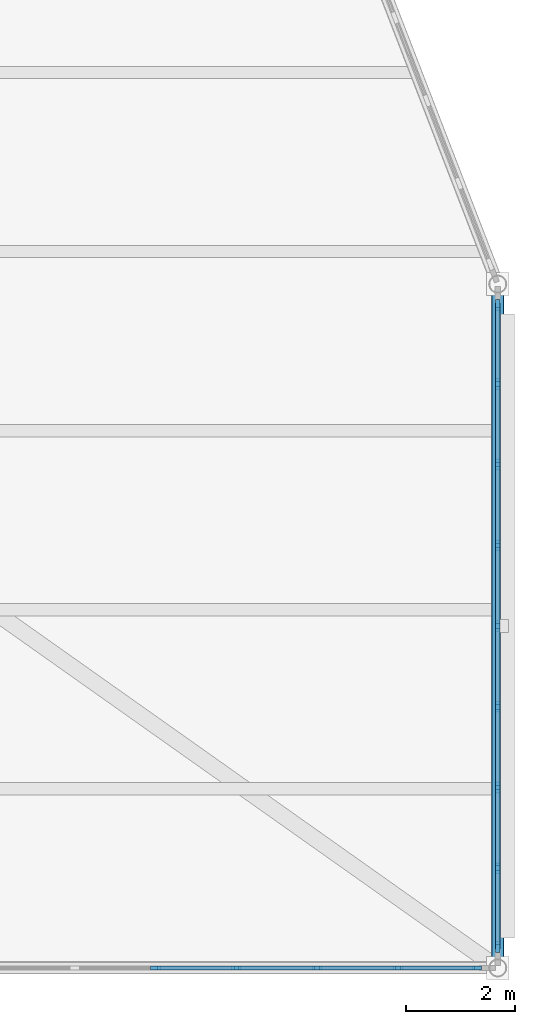
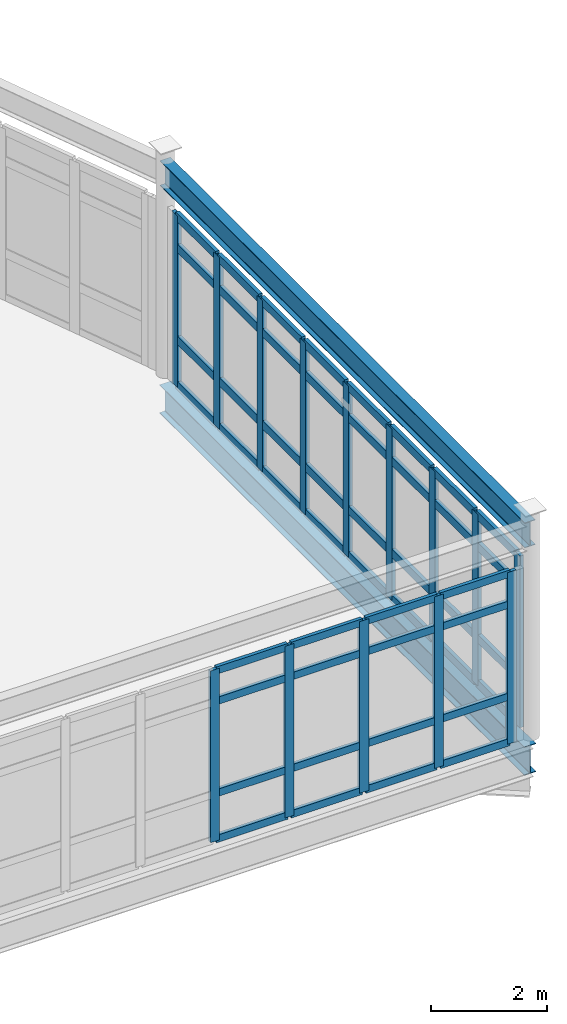
# One storey, part 69 of 134: 62 members, 2 beams, 2 elements without a shape of their own.
"""IFC4 building model written with IfcOpenShell, lengths in metres."""

from ifc_helpers import new_model, si_unit, direction, frame, origin, origin_2d, place, context, subcontext, project, spatial, rectangle, i_section, extrude, material, material_profile, profile_set, type_object, element, aggregate, save


model = new_model("IFC4")

# Units and contexts
model_context = context("Model", 3, precision=1e-05, world=origin(), true_north=direction((0.0, 1.0)))
body_context = subcontext(model_context, "Body", "Model", "MODEL_VIEW")
ifc_project = project(units=[si_unit("LENGTHUNIT", "METRE"), si_unit("AREAUNIT", "SQUARE_METRE"), si_unit("VOLUMEUNIT", "CUBIC_METRE"), si_unit("PLANEANGLEUNIT", "RADIAN"), si_unit("MASSUNIT", "GRAM", prefix="KILO")], contexts=[model_context])

# Site, building, storey
site_placement = place(None, origin())
site = spatial("IfcSite", under=ifc_project, at=site_placement, CompositionType="ELEMENT")
building_placement = place(site_placement, origin())
building = spatial("IfcBuilding", under=site, at=building_placement, Name="Tameran Prism Museum", CompositionType="ELEMENT")
storey_placement = place(building_placement, frame((0.0, 0.0, 5.39990234375)))
storey = spatial("IfcBuildingStorey", under=building, at=storey_placement, Name="L01", CompositionType="ELEMENT", Elevation=5.39990234375)

# Beams
ifc_material_1 = material(Name="Steel Grade 300PLUS (300 MPa)", Category="steel")
ifc_material_profile_1 = material_profile(ifc_material_1, i_section(OverallWidth=0.208984375, OverallDepth=0.528076171875, WebThickness=0.009521484375, FlangeThickness=0.01318359375, FilletRadius=0.013916015625, at=origin_2d()))
ifc_profile_set_1 = profile_set([ifc_material_profile_1])
beam_type_1 = type_object("IfcBeamType", Name="BM-SP530B", PredefinedType="SPANDREL", material=ifc_profile_set_1)
beam_1_placement = place(storey_placement, frame((166.39990234375, 0.0, 4.256103515625), z_axis=(0.0, 1.0, 0.0), x_axis=(-1.0, 0.0, 0.0)))
element("IfcBeam", 1, at=beam_1_placement, inside=storey, type_object=beam_type_1, Name="Roof Ring Beam RB-0380", PredefinedType="SPANDREL", context=body_context, shape_type="SweptSolid", body=[
    extrude(i_section(OverallWidth=0.208984375, OverallDepth=0.528076171875, WebThickness=0.009521484375, FlangeThickness=0.01318359375, FilletRadius=0.013916015625, at=origin_2d()), origin(), (0.0, 0.0, 1.0), 12.60009765625),
])
ifc_material_2 = material(Name="Steel Grade 300PLUS (300 MPa)", Category="steel")
ifc_material_profile_2 = material_profile(ifc_material_2, i_section(OverallWidth=0.22802734375, OverallDepth=0.60205078125, WebThickness=0.010498046875, FlangeThickness=0.014892578125, FilletRadius=0.013916015625, at=origin_2d()))
ifc_profile_set_2 = profile_set([ifc_material_profile_2])
beam_type_2 = type_object("IfcBeamType", Name="BM-SP610", PredefinedType="SPANDREL", material=ifc_profile_set_2)
beam_2_placement = place(storey_placement, frame((166.39990234375, 0.0, -0.5009765625), z_axis=(0.0, 1.0, 0.0), x_axis=(-1.0, 0.0, 0.0)))
element("IfcBeam", 2, at=beam_2_placement, inside=storey, type_object=beam_type_2, Name="Perimeter Spandrel SP-0374", PredefinedType="SPANDREL", context=body_context, shape_type="SweptSolid", body=[
    extrude(i_section(OverallWidth=0.22802734375, OverallDepth=0.60205078125, WebThickness=0.010498046875, FlangeThickness=0.014892578125, FilletRadius=0.013916015625, at=origin_2d()), origin(), (0.0, 0.0, 1.0), 12.60009765625),
])

# Curtain wall, members
ifc_material_3 = material(Name="Anodised Aluminium 6063-T6 and Cyclone Solar Glass", Category="aluminium")
curtain_wall_type_1 = type_object("IfcCurtainWallType", Name="CW-FAC-1340x362", PredefinedType="USERDEFINED", material=ifc_material_3)
curtain_wall_1_placement = place(storey_placement, origin())
curtain_wall_1 = element("IfcCurtainWall", 3, at=curtain_wall_1_placement, inside=storey, type_object=curtain_wall_type_1, Name="Unitised Curtain Wall CW-080", ObjectType="UNITISED CURTAIN WALL", PredefinedType="USERDEFINED")
ifc_material_4 = material(Name="Anodised Aluminium Alloy 6063-T6", Category="aluminium")
ifc_material_profile_3 = material_profile(ifc_material_4, rectangle(XDim=0.070068359375, YDim=0.179931640625, at=origin_2d()))
ifc_profile_set_3 = profile_set([ifc_material_profile_3])
member_type_1 = type_object("IfcMemberType", Name="CW-MUL-B", PredefinedType="MULLION", material=ifc_profile_set_3)
member_1_placement = place(storey_placement, frame((166.014892578125, 0.0, 0.0), z_axis=(0.0, 0.0, 1.0), x_axis=(0.0, -1.0, 0.0)))
member_1 = element("IfcMember", 4, at=member_1_placement, type_object=member_type_1, Name="CW-080 mullion 1", PredefinedType="MULLION", context=body_context, shape_type="SweptSolid", body=[
    extrude(rectangle(XDim=0.070068359375, YDim=0.179931640625, at=origin_2d()), origin(), (0.0, 0.0, 1.0), 3.6201171875),
])
member_2_placement = place(storey_placement, frame((164.56103515625, 0.0, 0.0), z_axis=(0.0, 0.0, 1.0), x_axis=(0.0, -1.0, 0.0)))
member_2 = element("IfcMember", 5, at=member_2_placement, type_object=member_type_1, Name="CW-080 mullion 2", PredefinedType="MULLION", context=body_context, shape_type="SweptSolid", body=[
    extrude(rectangle(XDim=0.070068359375, YDim=0.179931640625, at=origin_2d()), origin(), (0.0, 0.0, 1.0), 3.6201171875),
])
member_3_placement = place(storey_placement, frame((163.072265625, 0.0, 0.0), z_axis=(0.0, 0.0, 1.0), x_axis=(0.0, -1.0, 0.0)))
member_3 = element("IfcMember", 6, at=member_3_placement, type_object=member_type_1, Name="CW-080 mullion 3", PredefinedType="MULLION", context=body_context, shape_type="SweptSolid", body=[
    extrude(rectangle(XDim=0.070068359375, YDim=0.179931640625, at=origin_2d()), origin(), (0.0, 0.0, 1.0), 3.6201171875),
])
member_4_placement = place(storey_placement, frame((161.583251953125, 0.0, 0.0), z_axis=(0.0, 0.0, 1.0), x_axis=(0.0, -1.0, 0.0)))
member_4 = element("IfcMember", 7, at=member_4_placement, type_object=member_type_1, Name="CW-080 mullion 4", PredefinedType="MULLION", context=body_context, shape_type="SweptSolid", body=[
    extrude(rectangle(XDim=0.070068359375, YDim=0.179931640625, at=origin_2d()), origin(), (0.0, 0.0, 1.0), 3.6201171875),
])
member_5_placement = place(storey_placement, frame((160.094482421875, 0.0, 0.0), z_axis=(0.0, 0.0, 1.0), x_axis=(0.0, -1.0, 0.0)))
member_5 = element("IfcMember", 8, at=member_5_placement, type_object=member_type_1, Name="CW-080 mullion 5", PredefinedType="MULLION", context=body_context, shape_type="SweptSolid", body=[
    extrude(rectangle(XDim=0.070068359375, YDim=0.179931640625, at=origin_2d()), origin(), (0.0, 0.0, 1.0), 3.6201171875),
])

ifc_material_5 = material(Name="Anodised Aluminium 6063-T6 and Cyclone Solar Glass", Category="aluminium")
curtain_wall_type_2 = type_object("IfcCurtainWallType", Name="CW-FAC-1190x362", PredefinedType="USERDEFINED", material=ifc_material_5)
curtain_wall_2_placement = place(storey_placement, origin())
curtain_wall_2 = element("IfcCurtainWall", 9, at=curtain_wall_2_placement, inside=storey, type_object=curtain_wall_type_2, Name="Unitised Curtain Wall CW-081", ObjectType="UNITISED CURTAIN WALL", PredefinedType="USERDEFINED")
ifc_material_6 = material(Name="Anodised Aluminium Alloy 6063-T6", Category="aluminium")
ifc_material_profile_4 = material_profile(ifc_material_6, rectangle(XDim=0.074951171875, YDim=0.199951171875, at=origin_2d()))
ifc_profile_set_4 = profile_set([ifc_material_profile_4])
member_type_2 = type_object("IfcMemberType", Name="CW-MUL-C", PredefinedType="MULLION", material=ifc_profile_set_4)
member_6_placement = place(storey_placement, frame((166.39990234375, 12.21240234375, 0.0), z_axis=(0.0, 0.0, 1.0), x_axis=(1.0, 0.0, 0.0)))
member_6 = element("IfcMember", 10, at=member_6_placement, type_object=member_type_2, Name="CW-081 mullion 1", PredefinedType="MULLION", context=body_context, shape_type="SweptSolid", body=[
    extrude(rectangle(XDim=0.074951171875, YDim=0.199951171875, at=origin_2d()), origin(), (0.0, 0.0, 1.0), 3.6201171875),
])
member_7_placement = place(storey_placement, frame((166.39990234375, 10.762451171875, 0.0), z_axis=(0.0, 0.0, 1.0), x_axis=(1.0, 0.0, 0.0)))
member_7 = element("IfcMember", 11, at=member_7_placement, type_object=member_type_2, Name="CW-081 mullion 2", PredefinedType="MULLION", context=body_context, shape_type="SweptSolid", body=[
    extrude(rectangle(XDim=0.074951171875, YDim=0.199951171875, at=origin_2d()), origin(), (0.0, 0.0, 1.0), 3.6201171875),
])
member_8_placement = place(storey_placement, frame((166.39990234375, 9.27490234375, 0.0), z_axis=(0.0, 0.0, 1.0), x_axis=(1.0, 0.0, 0.0)))
member_8 = element("IfcMember", 12, at=member_8_placement, type_object=member_type_2, Name="CW-081 mullion 3", PredefinedType="MULLION", context=body_context, shape_type="SweptSolid", body=[
    extrude(rectangle(XDim=0.074951171875, YDim=0.199951171875, at=origin_2d()), origin(), (0.0, 0.0, 1.0), 3.6201171875),
])
member_9_placement = place(storey_placement, frame((166.39990234375, 7.78759765625, 0.0), z_axis=(0.0, 0.0, 1.0), x_axis=(1.0, 0.0, 0.0)))
member_9 = element("IfcMember", 13, at=member_9_placement, type_object=member_type_2, Name="CW-081 mullion 4", PredefinedType="MULLION", context=body_context, shape_type="SweptSolid", body=[
    extrude(rectangle(XDim=0.074951171875, YDim=0.199951171875, at=origin_2d()), origin(), (0.0, 0.0, 1.0), 3.6201171875),
])
member_10_placement = place(storey_placement, frame((166.39990234375, 6.300048828125, 0.0), z_axis=(0.0, 0.0, 1.0), x_axis=(1.0, 0.0, 0.0)))
member_10 = element("IfcMember", 14, at=member_10_placement, type_object=member_type_2, Name="CW-081 mullion 5", PredefinedType="MULLION", context=body_context, shape_type="SweptSolid", body=[
    extrude(rectangle(XDim=0.074951171875, YDim=0.199951171875, at=origin_2d()), origin(), (0.0, 0.0, 1.0), 3.6201171875),
])
member_11_placement = place(storey_placement, frame((166.39990234375, 4.8125, 0.0), z_axis=(0.0, 0.0, 1.0), x_axis=(1.0, 0.0, 0.0)))
member_11 = element("IfcMember", 15, at=member_11_placement, type_object=member_type_2, Name="CW-081 mullion 6", PredefinedType="MULLION", context=body_context, shape_type="SweptSolid", body=[
    extrude(rectangle(XDim=0.074951171875, YDim=0.199951171875, at=origin_2d()), origin(), (0.0, 0.0, 1.0), 3.6201171875),
])
member_12_placement = place(storey_placement, frame((166.39990234375, 3.324951171875, 0.0), z_axis=(0.0, 0.0, 1.0), x_axis=(1.0, 0.0, 0.0)))
member_12 = element("IfcMember", 16, at=member_12_placement, type_object=member_type_2, Name="CW-081 mullion 7", PredefinedType="MULLION", context=body_context, shape_type="SweptSolid", body=[
    extrude(rectangle(XDim=0.074951171875, YDim=0.199951171875, at=origin_2d()), origin(), (0.0, 0.0, 1.0), 3.6201171875),
])
member_13_placement = place(storey_placement, frame((166.39990234375, 1.83740234375, 0.0), z_axis=(0.0, 0.0, 1.0), x_axis=(1.0, 0.0, 0.0)))
member_13 = element("IfcMember", 17, at=member_13_placement, type_object=member_type_2, Name="CW-081 mullion 8", PredefinedType="MULLION", context=body_context, shape_type="SweptSolid", body=[
    extrude(rectangle(XDim=0.074951171875, YDim=0.199951171875, at=origin_2d()), origin(), (0.0, 0.0, 1.0), 3.6201171875),
])
member_14_placement = place(storey_placement, frame((166.39990234375, 0.387451171875, 0.0), z_axis=(0.0, 0.0, 1.0), x_axis=(1.0, 0.0, 0.0)))
member_14 = element("IfcMember", 18, at=member_14_placement, type_object=member_type_2, Name="CW-081 mullion 9", PredefinedType="MULLION", context=body_context, shape_type="SweptSolid", body=[
    extrude(rectangle(XDim=0.074951171875, YDim=0.199951171875, at=origin_2d()), origin(), (0.0, 0.0, 1.0), 3.6201171875),
])

# Member
ifc_material_7 = material(Name="Anodised Aluminium Alloy 6063-T6", Category="aluminium")
ifc_material_profile_5 = material_profile(ifc_material_7, rectangle(XDim=0.070068359375, YDim=0.155029296875, at=origin_2d()))
ifc_profile_set_5 = profile_set([ifc_material_profile_5])
member_type_3 = type_object("IfcMemberType", Name="CW-TRN-B", PredefinedType="USERDEFINED", material=ifc_profile_set_5)
member_15_placement = place(storey_placement, frame((165.97998046875, 0.0, 0.03515625), z_axis=(-1.0, 0.0, 0.0), x_axis=(0.0, -1.0, 0.0)))
member_15 = element("IfcMember", 19, at=member_15_placement, type_object=member_type_3, Name="CW-080 transom 1.1", ObjectType="TRANSOM", PredefinedType="USERDEFINED", context=body_context, shape_type="SweptSolid", body=[
    extrude(rectangle(XDim=0.070068359375, YDim=0.155029296875, at=origin_2d()), origin(), (0.0, 0.0, 1.0), 1.3837890625),
])

member_16_placement = place(storey_placement, frame((165.97998046875, 0.0, 1.0), z_axis=(-1.0, 0.0, 0.0), x_axis=(0.0, -1.0, 0.0)))
member_16 = element("IfcMember", 20, at=member_16_placement, type_object=member_type_3, Name="CW-080 transom 1.2", ObjectType="TRANSOM", PredefinedType="USERDEFINED", context=body_context, shape_type="SweptSolid", body=[
    extrude(rectangle(XDim=0.070068359375, YDim=0.155029296875, at=origin_2d()), origin(), (0.0, 0.0, 1.0), 1.3837890625),
])

member_17_placement = place(storey_placement, frame((165.97998046875, 0.0, 2.940185546875), z_axis=(-1.0, 0.0, 0.0), x_axis=(0.0, -1.0, 0.0)))
member_17 = element("IfcMember", 21, at=member_17_placement, type_object=member_type_3, Name="CW-080 transom 1.3", ObjectType="TRANSOM", PredefinedType="USERDEFINED", context=body_context, shape_type="SweptSolid", body=[
    extrude(rectangle(XDim=0.070068359375, YDim=0.155029296875, at=origin_2d()), origin(), (0.0, 0.0, 1.0), 1.3837890625),
])

member_18_placement = place(storey_placement, frame((165.97998046875, 0.0, 3.585205078125), z_axis=(-1.0, 0.0, 0.0), x_axis=(0.0, -1.0, 0.0)))
member_18 = element("IfcMember", 22, at=member_18_placement, type_object=member_type_3, Name="CW-080 transom 1.4", ObjectType="TRANSOM", PredefinedType="USERDEFINED", context=body_context, shape_type="SweptSolid", body=[
    extrude(rectangle(XDim=0.070068359375, YDim=0.155029296875, at=origin_2d()), origin(), (0.0, 0.0, 1.0), 1.3837890625),
])

member_19_placement = place(storey_placement, frame((164.526123046875, 0.0, 0.03515625), z_axis=(-1.0, 0.0, 0.0), x_axis=(0.0, -1.0, 0.0)))
member_19 = element("IfcMember", 23, at=member_19_placement, type_object=member_type_3, Name="CW-080 transom 2.1", ObjectType="TRANSOM", PredefinedType="USERDEFINED", context=body_context, shape_type="SweptSolid", body=[
    extrude(rectangle(XDim=0.070068359375, YDim=0.155029296875, at=origin_2d()), origin(), (0.0, 0.0, 1.0), 1.4189453125),
])

member_20_placement = place(storey_placement, frame((164.526123046875, 0.0, 1.0), z_axis=(-1.0, 0.0, 0.0), x_axis=(0.0, -1.0, 0.0)))
member_20 = element("IfcMember", 24, at=member_20_placement, type_object=member_type_3, Name="CW-080 transom 2.2", ObjectType="TRANSOM", PredefinedType="USERDEFINED", context=body_context, shape_type="SweptSolid", body=[
    extrude(rectangle(XDim=0.070068359375, YDim=0.155029296875, at=origin_2d()), origin(), (0.0, 0.0, 1.0), 1.4189453125),
])

member_21_placement = place(storey_placement, frame((164.526123046875, 0.0, 2.940185546875), z_axis=(-1.0, 0.0, 0.0), x_axis=(0.0, -1.0, 0.0)))
member_21 = element("IfcMember", 25, at=member_21_placement, type_object=member_type_3, Name="CW-080 transom 2.3", ObjectType="TRANSOM", PredefinedType="USERDEFINED", context=body_context, shape_type="SweptSolid", body=[
    extrude(rectangle(XDim=0.070068359375, YDim=0.155029296875, at=origin_2d()), origin(), (0.0, 0.0, 1.0), 1.4189453125),
])

member_22_placement = place(storey_placement, frame((164.526123046875, 0.0, 3.585205078125), z_axis=(-1.0, 0.0, 0.0), x_axis=(0.0, -1.0, 0.0)))
member_22 = element("IfcMember", 26, at=member_22_placement, type_object=member_type_3, Name="CW-080 transom 2.4", ObjectType="TRANSOM", PredefinedType="USERDEFINED", context=body_context, shape_type="SweptSolid", body=[
    extrude(rectangle(XDim=0.070068359375, YDim=0.155029296875, at=origin_2d()), origin(), (0.0, 0.0, 1.0), 1.4189453125),
])

member_23_placement = place(storey_placement, frame((163.037109375, 0.0, 0.03515625), z_axis=(-1.0, 0.0, 0.0), x_axis=(0.0, -1.0, 0.0)))
member_23 = element("IfcMember", 27, at=member_23_placement, type_object=member_type_3, Name="CW-080 transom 3.1", ObjectType="TRANSOM", PredefinedType="USERDEFINED", context=body_context, shape_type="SweptSolid", body=[
    extrude(rectangle(XDim=0.070068359375, YDim=0.155029296875, at=origin_2d()), origin(), (0.0, 0.0, 1.0), 1.418701171875),
])

member_24_placement = place(storey_placement, frame((163.037109375, 0.0, 1.0), z_axis=(-1.0, 0.0, 0.0), x_axis=(0.0, -1.0, 0.0)))
member_24 = element("IfcMember", 28, at=member_24_placement, type_object=member_type_3, Name="CW-080 transom 3.2", ObjectType="TRANSOM", PredefinedType="USERDEFINED", context=body_context, shape_type="SweptSolid", body=[
    extrude(rectangle(XDim=0.070068359375, YDim=0.155029296875, at=origin_2d()), origin(), (0.0, 0.0, 1.0), 1.418701171875),
])

member_25_placement = place(storey_placement, frame((163.037109375, 0.0, 2.940185546875), z_axis=(-1.0, 0.0, 0.0), x_axis=(0.0, -1.0, 0.0)))
member_25 = element("IfcMember", 29, at=member_25_placement, type_object=member_type_3, Name="CW-080 transom 3.3", ObjectType="TRANSOM", PredefinedType="USERDEFINED", context=body_context, shape_type="SweptSolid", body=[
    extrude(rectangle(XDim=0.070068359375, YDim=0.155029296875, at=origin_2d()), origin(), (0.0, 0.0, 1.0), 1.418701171875),
])

member_26_placement = place(storey_placement, frame((163.037109375, 0.0, 3.585205078125), z_axis=(-1.0, 0.0, 0.0), x_axis=(0.0, -1.0, 0.0)))
member_26 = element("IfcMember", 30, at=member_26_placement, type_object=member_type_3, Name="CW-080 transom 3.4", ObjectType="TRANSOM", PredefinedType="USERDEFINED", context=body_context, shape_type="SweptSolid", body=[
    extrude(rectangle(XDim=0.070068359375, YDim=0.155029296875, at=origin_2d()), origin(), (0.0, 0.0, 1.0), 1.418701171875),
])

member_27_placement = place(storey_placement, frame((161.54833984375, 0.0, 0.03515625), z_axis=(-1.0, 0.0, 0.0), x_axis=(0.0, -1.0, 0.0)))
member_27 = element("IfcMember", 31, at=member_27_placement, type_object=member_type_3, Name="CW-080 transom 4.1", ObjectType="TRANSOM", PredefinedType="USERDEFINED", context=body_context, shape_type="SweptSolid", body=[
    extrude(rectangle(XDim=0.070068359375, YDim=0.155029296875, at=origin_2d()), origin(), (0.0, 0.0, 1.0), 1.4189453125),
])

member_28_placement = place(storey_placement, frame((161.54833984375, 0.0, 1.0), z_axis=(-1.0, 0.0, 0.0), x_axis=(0.0, -1.0, 0.0)))
member_28 = element("IfcMember", 32, at=member_28_placement, type_object=member_type_3, Name="CW-080 transom 4.2", ObjectType="TRANSOM", PredefinedType="USERDEFINED", context=body_context, shape_type="SweptSolid", body=[
    extrude(rectangle(XDim=0.070068359375, YDim=0.155029296875, at=origin_2d()), origin(), (0.0, 0.0, 1.0), 1.4189453125),
])

member_29_placement = place(storey_placement, frame((161.54833984375, 0.0, 2.940185546875), z_axis=(-1.0, 0.0, 0.0), x_axis=(0.0, -1.0, 0.0)))
member_29 = element("IfcMember", 33, at=member_29_placement, type_object=member_type_3, Name="CW-080 transom 4.3", ObjectType="TRANSOM", PredefinedType="USERDEFINED", context=body_context, shape_type="SweptSolid", body=[
    extrude(rectangle(XDim=0.070068359375, YDim=0.155029296875, at=origin_2d()), origin(), (0.0, 0.0, 1.0), 1.4189453125),
])

member_30_placement = place(storey_placement, frame((161.54833984375, 0.0, 3.585205078125), z_axis=(-1.0, 0.0, 0.0), x_axis=(0.0, -1.0, 0.0)))
member_30 = element("IfcMember", 34, at=member_30_placement, type_object=member_type_3, Name="CW-080 transom 4.4", ObjectType="TRANSOM", PredefinedType="USERDEFINED", context=body_context, shape_type="SweptSolid", body=[
    extrude(rectangle(XDim=0.070068359375, YDim=0.155029296875, at=origin_2d()), origin(), (0.0, 0.0, 1.0), 1.4189453125),
])

aggregate(curtain_wall_1, [member_1, member_2, member_3, member_4, member_5, member_15, member_16, member_17, member_18, member_19, member_20, member_21, member_22, member_23, member_24, member_25, member_26, member_27, member_28, member_29, member_30])

ifc_material_8 = material(Name="Anodised Aluminium Alloy 6063-T6", Category="aluminium")
ifc_material_profile_6 = material_profile(ifc_material_8, rectangle(XDim=0.074951171875, YDim=0.175048828125, at=origin_2d()))
ifc_profile_set_6 = profile_set([ifc_material_profile_6])
member_type_4 = type_object("IfcMemberType", Name="CW-TRN-C", PredefinedType="USERDEFINED", material=ifc_profile_set_6)
member_31_placement = place(storey_placement, frame((166.39990234375, 12.175048828125, 0.03759765625), z_axis=(0.0, -1.0, 0.0), x_axis=(1.0, 0.0, 0.0)))
member_31 = element("IfcMember", 35, at=member_31_placement, type_object=member_type_4, Name="CW-081 transom 1.1", ObjectType="TRANSOM", PredefinedType="USERDEFINED", context=body_context, shape_type="SweptSolid", body=[
    extrude(rectangle(XDim=0.074951171875, YDim=0.175048828125, at=origin_2d()), origin(), (0.0, 0.0, 1.0), 1.375),
])

member_32_placement = place(storey_placement, frame((166.39990234375, 12.175048828125, 1.0), z_axis=(0.0, -1.0, 0.0), x_axis=(1.0, 0.0, 0.0)))
member_32 = element("IfcMember", 36, at=member_32_placement, type_object=member_type_4, Name="CW-081 transom 1.2", ObjectType="TRANSOM", PredefinedType="USERDEFINED", context=body_context, shape_type="SweptSolid", body=[
    extrude(rectangle(XDim=0.074951171875, YDim=0.175048828125, at=origin_2d()), origin(), (0.0, 0.0, 1.0), 1.375),
])

member_33_placement = place(storey_placement, frame((166.39990234375, 12.175048828125, 2.940185546875), z_axis=(0.0, -1.0, 0.0), x_axis=(1.0, 0.0, 0.0)))
member_33 = element("IfcMember", 37, at=member_33_placement, type_object=member_type_4, Name="CW-081 transom 1.3", ObjectType="TRANSOM", PredefinedType="USERDEFINED", context=body_context, shape_type="SweptSolid", body=[
    extrude(rectangle(XDim=0.074951171875, YDim=0.175048828125, at=origin_2d()), origin(), (0.0, 0.0, 1.0), 1.375),
])

member_34_placement = place(storey_placement, frame((166.39990234375, 12.175048828125, 3.58251953125), z_axis=(0.0, -1.0, 0.0), x_axis=(1.0, 0.0, 0.0)))
member_34 = element("IfcMember", 38, at=member_34_placement, type_object=member_type_4, Name="CW-081 transom 1.4", ObjectType="TRANSOM", PredefinedType="USERDEFINED", context=body_context, shape_type="SweptSolid", body=[
    extrude(rectangle(XDim=0.074951171875, YDim=0.175048828125, at=origin_2d()), origin(), (0.0, 0.0, 1.0), 1.375),
])

member_35_placement = place(storey_placement, frame((166.39990234375, 10.72509765625, 0.03759765625), z_axis=(0.0, -1.0, 0.0), x_axis=(1.0, 0.0, 0.0)))
member_35 = element("IfcMember", 39, at=member_35_placement, type_object=member_type_4, Name="CW-081 transom 2.1", ObjectType="TRANSOM", PredefinedType="USERDEFINED", context=body_context, shape_type="SweptSolid", body=[
    extrude(rectangle(XDim=0.074951171875, YDim=0.175048828125, at=origin_2d()), origin(), (0.0, 0.0, 1.0), 1.41259765625),
])

member_36_placement = place(storey_placement, frame((166.39990234375, 10.72509765625, 1.0), z_axis=(0.0, -1.0, 0.0), x_axis=(1.0, 0.0, 0.0)))
member_36 = element("IfcMember", 40, at=member_36_placement, type_object=member_type_4, Name="CW-081 transom 2.2", ObjectType="TRANSOM", PredefinedType="USERDEFINED", context=body_context, shape_type="SweptSolid", body=[
    extrude(rectangle(XDim=0.074951171875, YDim=0.175048828125, at=origin_2d()), origin(), (0.0, 0.0, 1.0), 1.41259765625),
])

member_37_placement = place(storey_placement, frame((166.39990234375, 10.72509765625, 2.940185546875), z_axis=(0.0, -1.0, 0.0), x_axis=(1.0, 0.0, 0.0)))
member_37 = element("IfcMember", 41, at=member_37_placement, type_object=member_type_4, Name="CW-081 transom 2.3", ObjectType="TRANSOM", PredefinedType="USERDEFINED", context=body_context, shape_type="SweptSolid", body=[
    extrude(rectangle(XDim=0.074951171875, YDim=0.175048828125, at=origin_2d()), origin(), (0.0, 0.0, 1.0), 1.41259765625),
])

member_38_placement = place(storey_placement, frame((166.39990234375, 10.72509765625, 3.58251953125), z_axis=(0.0, -1.0, 0.0), x_axis=(1.0, 0.0, 0.0)))
member_38 = element("IfcMember", 42, at=member_38_placement, type_object=member_type_4, Name="CW-081 transom 2.4", ObjectType="TRANSOM", PredefinedType="USERDEFINED", context=body_context, shape_type="SweptSolid", body=[
    extrude(rectangle(XDim=0.074951171875, YDim=0.175048828125, at=origin_2d()), origin(), (0.0, 0.0, 1.0), 1.41259765625),
])

member_39_placement = place(storey_placement, frame((166.39990234375, 9.237548828125, 0.03759765625), z_axis=(0.0, -1.0, 0.0), x_axis=(1.0, 0.0, 0.0)))
member_39 = element("IfcMember", 43, at=member_39_placement, type_object=member_type_4, Name="CW-081 transom 3.1", ObjectType="TRANSOM", PredefinedType="USERDEFINED", context=body_context, shape_type="SweptSolid", body=[
    extrude(rectangle(XDim=0.074951171875, YDim=0.175048828125, at=origin_2d()), origin(), (0.0, 0.0, 1.0), 1.41259765625),
])

member_40_placement = place(storey_placement, frame((166.39990234375, 9.237548828125, 1.0), z_axis=(0.0, -1.0, 0.0), x_axis=(1.0, 0.0, 0.0)))
member_40 = element("IfcMember", 44, at=member_40_placement, type_object=member_type_4, Name="CW-081 transom 3.2", ObjectType="TRANSOM", PredefinedType="USERDEFINED", context=body_context, shape_type="SweptSolid", body=[
    extrude(rectangle(XDim=0.074951171875, YDim=0.175048828125, at=origin_2d()), origin(), (0.0, 0.0, 1.0), 1.41259765625),
])

member_41_placement = place(storey_placement, frame((166.39990234375, 9.237548828125, 2.940185546875), z_axis=(0.0, -1.0, 0.0), x_axis=(1.0, 0.0, 0.0)))
member_41 = element("IfcMember", 45, at=member_41_placement, type_object=member_type_4, Name="CW-081 transom 3.3", ObjectType="TRANSOM", PredefinedType="USERDEFINED", context=body_context, shape_type="SweptSolid", body=[
    extrude(rectangle(XDim=0.074951171875, YDim=0.175048828125, at=origin_2d()), origin(), (0.0, 0.0, 1.0), 1.41259765625),
])

member_42_placement = place(storey_placement, frame((166.39990234375, 9.237548828125, 3.58251953125), z_axis=(0.0, -1.0, 0.0), x_axis=(1.0, 0.0, 0.0)))
member_42 = element("IfcMember", 46, at=member_42_placement, type_object=member_type_4, Name="CW-081 transom 3.4", ObjectType="TRANSOM", PredefinedType="USERDEFINED", context=body_context, shape_type="SweptSolid", body=[
    extrude(rectangle(XDim=0.074951171875, YDim=0.175048828125, at=origin_2d()), origin(), (0.0, 0.0, 1.0), 1.41259765625),
])

member_43_placement = place(storey_placement, frame((166.39990234375, 7.75, 0.03759765625), z_axis=(0.0, -1.0, 0.0), x_axis=(1.0, 0.0, 0.0)))
member_43 = element("IfcMember", 47, at=member_43_placement, type_object=member_type_4, Name="CW-081 transom 4.1", ObjectType="TRANSOM", PredefinedType="USERDEFINED", context=body_context, shape_type="SweptSolid", body=[
    extrude(rectangle(XDim=0.074951171875, YDim=0.175048828125, at=origin_2d()), origin(), (0.0, 0.0, 1.0), 1.41259765625),
])

member_44_placement = place(storey_placement, frame((166.39990234375, 7.75, 1.0), z_axis=(0.0, -1.0, 0.0), x_axis=(1.0, 0.0, 0.0)))
member_44 = element("IfcMember", 48, at=member_44_placement, type_object=member_type_4, Name="CW-081 transom 4.2", ObjectType="TRANSOM", PredefinedType="USERDEFINED", context=body_context, shape_type="SweptSolid", body=[
    extrude(rectangle(XDim=0.074951171875, YDim=0.175048828125, at=origin_2d()), origin(), (0.0, 0.0, 1.0), 1.41259765625),
])

member_45_placement = place(storey_placement, frame((166.39990234375, 7.75, 2.940185546875), z_axis=(0.0, -1.0, 0.0), x_axis=(1.0, 0.0, 0.0)))
member_45 = element("IfcMember", 49, at=member_45_placement, type_object=member_type_4, Name="CW-081 transom 4.3", ObjectType="TRANSOM", PredefinedType="USERDEFINED", context=body_context, shape_type="SweptSolid", body=[
    extrude(rectangle(XDim=0.074951171875, YDim=0.175048828125, at=origin_2d()), origin(), (0.0, 0.0, 1.0), 1.41259765625),
])

member_46_placement = place(storey_placement, frame((166.39990234375, 7.75, 3.58251953125), z_axis=(0.0, -1.0, 0.0), x_axis=(1.0, 0.0, 0.0)))
member_46 = element("IfcMember", 50, at=member_46_placement, type_object=member_type_4, Name="CW-081 transom 4.4", ObjectType="TRANSOM", PredefinedType="USERDEFINED", context=body_context, shape_type="SweptSolid", body=[
    extrude(rectangle(XDim=0.074951171875, YDim=0.175048828125, at=origin_2d()), origin(), (0.0, 0.0, 1.0), 1.41259765625),
])

member_47_placement = place(storey_placement, frame((166.39990234375, 6.262451171875, 0.03759765625), z_axis=(0.0, -1.0, 0.0), x_axis=(1.0, 0.0, 0.0)))
member_47 = element("IfcMember", 51, at=member_47_placement, type_object=member_type_4, Name="CW-081 transom 5.1", ObjectType="TRANSOM", PredefinedType="USERDEFINED", context=body_context, shape_type="SweptSolid", body=[
    extrude(rectangle(XDim=0.074951171875, YDim=0.175048828125, at=origin_2d()), origin(), (0.0, 0.0, 1.0), 1.412353515625),
])

member_48_placement = place(storey_placement, frame((166.39990234375, 6.262451171875, 1.0), z_axis=(0.0, -1.0, 0.0), x_axis=(1.0, 0.0, 0.0)))
member_48 = element("IfcMember", 52, at=member_48_placement, type_object=member_type_4, Name="CW-081 transom 5.2", ObjectType="TRANSOM", PredefinedType="USERDEFINED", context=body_context, shape_type="SweptSolid", body=[
    extrude(rectangle(XDim=0.074951171875, YDim=0.175048828125, at=origin_2d()), origin(), (0.0, 0.0, 1.0), 1.412353515625),
])

member_49_placement = place(storey_placement, frame((166.39990234375, 6.262451171875, 2.940185546875), z_axis=(0.0, -1.0, 0.0), x_axis=(1.0, 0.0, 0.0)))
member_49 = element("IfcMember", 53, at=member_49_placement, type_object=member_type_4, Name="CW-081 transom 5.3", ObjectType="TRANSOM", PredefinedType="USERDEFINED", context=body_context, shape_type="SweptSolid", body=[
    extrude(rectangle(XDim=0.074951171875, YDim=0.175048828125, at=origin_2d()), origin(), (0.0, 0.0, 1.0), 1.412353515625),
])

member_50_placement = place(storey_placement, frame((166.39990234375, 6.262451171875, 3.58251953125), z_axis=(0.0, -1.0, 0.0), x_axis=(1.0, 0.0, 0.0)))
member_50 = element("IfcMember", 54, at=member_50_placement, type_object=member_type_4, Name="CW-081 transom 5.4", ObjectType="TRANSOM", PredefinedType="USERDEFINED", context=body_context, shape_type="SweptSolid", body=[
    extrude(rectangle(XDim=0.074951171875, YDim=0.175048828125, at=origin_2d()), origin(), (0.0, 0.0, 1.0), 1.412353515625),
])

member_51_placement = place(storey_placement, frame((166.39990234375, 4.77490234375, 0.03759765625), z_axis=(0.0, -1.0, 0.0), x_axis=(1.0, 0.0, 0.0)))
member_51 = element("IfcMember", 55, at=member_51_placement, type_object=member_type_4, Name="CW-081 transom 6.1", ObjectType="TRANSOM", PredefinedType="USERDEFINED", context=body_context, shape_type="SweptSolid", body=[
    extrude(rectangle(XDim=0.074951171875, YDim=0.175048828125, at=origin_2d()), origin(), (0.0, 0.0, 1.0), 1.412353515625),
])

member_52_placement = place(storey_placement, frame((166.39990234375, 4.77490234375, 1.0), z_axis=(0.0, -1.0, 0.0), x_axis=(1.0, 0.0, 0.0)))
member_52 = element("IfcMember", 56, at=member_52_placement, type_object=member_type_4, Name="CW-081 transom 6.2", ObjectType="TRANSOM", PredefinedType="USERDEFINED", context=body_context, shape_type="SweptSolid", body=[
    extrude(rectangle(XDim=0.074951171875, YDim=0.175048828125, at=origin_2d()), origin(), (0.0, 0.0, 1.0), 1.412353515625),
])

member_53_placement = place(storey_placement, frame((166.39990234375, 4.77490234375, 2.940185546875), z_axis=(0.0, -1.0, 0.0), x_axis=(1.0, 0.0, 0.0)))
member_53 = element("IfcMember", 57, at=member_53_placement, type_object=member_type_4, Name="CW-081 transom 6.3", ObjectType="TRANSOM", PredefinedType="USERDEFINED", context=body_context, shape_type="SweptSolid", body=[
    extrude(rectangle(XDim=0.074951171875, YDim=0.175048828125, at=origin_2d()), origin(), (0.0, 0.0, 1.0), 1.412353515625),
])

member_54_placement = place(storey_placement, frame((166.39990234375, 4.77490234375, 3.58251953125), z_axis=(0.0, -1.0, 0.0), x_axis=(1.0, 0.0, 0.0)))
member_54 = element("IfcMember", 58, at=member_54_placement, type_object=member_type_4, Name="CW-081 transom 6.4", ObjectType="TRANSOM", PredefinedType="USERDEFINED", context=body_context, shape_type="SweptSolid", body=[
    extrude(rectangle(XDim=0.074951171875, YDim=0.175048828125, at=origin_2d()), origin(), (0.0, 0.0, 1.0), 1.412353515625),
])

member_55_placement = place(storey_placement, frame((166.39990234375, 3.28759765625, 0.03759765625), z_axis=(0.0, -1.0, 0.0), x_axis=(1.0, 0.0, 0.0)))
member_55 = element("IfcMember", 59, at=member_55_placement, type_object=member_type_4, Name="CW-081 transom 7.1", ObjectType="TRANSOM", PredefinedType="USERDEFINED", context=body_context, shape_type="SweptSolid", body=[
    extrude(rectangle(XDim=0.074951171875, YDim=0.175048828125, at=origin_2d()), origin(), (0.0, 0.0, 1.0), 1.41259765625),
])

member_56_placement = place(storey_placement, frame((166.39990234375, 3.28759765625, 1.0), z_axis=(0.0, -1.0, 0.0), x_axis=(1.0, 0.0, 0.0)))
member_56 = element("IfcMember", 60, at=member_56_placement, type_object=member_type_4, Name="CW-081 transom 7.2", ObjectType="TRANSOM", PredefinedType="USERDEFINED", context=body_context, shape_type="SweptSolid", body=[
    extrude(rectangle(XDim=0.074951171875, YDim=0.175048828125, at=origin_2d()), origin(), (0.0, 0.0, 1.0), 1.41259765625),
])

member_57_placement = place(storey_placement, frame((166.39990234375, 3.28759765625, 2.940185546875), z_axis=(0.0, -1.0, 0.0), x_axis=(1.0, 0.0, 0.0)))
member_57 = element("IfcMember", 61, at=member_57_placement, type_object=member_type_4, Name="CW-081 transom 7.3", ObjectType="TRANSOM", PredefinedType="USERDEFINED", context=body_context, shape_type="SweptSolid", body=[
    extrude(rectangle(XDim=0.074951171875, YDim=0.175048828125, at=origin_2d()), origin(), (0.0, 0.0, 1.0), 1.41259765625),
])

member_58_placement = place(storey_placement, frame((166.39990234375, 3.28759765625, 3.58251953125), z_axis=(0.0, -1.0, 0.0), x_axis=(1.0, 0.0, 0.0)))
member_58 = element("IfcMember", 62, at=member_58_placement, type_object=member_type_4, Name="CW-081 transom 7.4", ObjectType="TRANSOM", PredefinedType="USERDEFINED", context=body_context, shape_type="SweptSolid", body=[
    extrude(rectangle(XDim=0.074951171875, YDim=0.175048828125, at=origin_2d()), origin(), (0.0, 0.0, 1.0), 1.41259765625),
])

member_59_placement = place(storey_placement, frame((166.39990234375, 1.800048828125, 0.03759765625), z_axis=(0.0, -1.0, 0.0), x_axis=(1.0, 0.0, 0.0)))
member_59 = element("IfcMember", 63, at=member_59_placement, type_object=member_type_4, Name="CW-081 transom 8.1", ObjectType="TRANSOM", PredefinedType="USERDEFINED", context=body_context, shape_type="SweptSolid", body=[
    extrude(rectangle(XDim=0.074951171875, YDim=0.175048828125, at=origin_2d()), origin(), (0.0, 0.0, 1.0), 1.375),
])

member_60_placement = place(storey_placement, frame((166.39990234375, 1.800048828125, 1.0), z_axis=(0.0, -1.0, 0.0), x_axis=(1.0, 0.0, 0.0)))
member_60 = element("IfcMember", 64, at=member_60_placement, type_object=member_type_4, Name="CW-081 transom 8.2", ObjectType="TRANSOM", PredefinedType="USERDEFINED", context=body_context, shape_type="SweptSolid", body=[
    extrude(rectangle(XDim=0.074951171875, YDim=0.175048828125, at=origin_2d()), origin(), (0.0, 0.0, 1.0), 1.375),
])

member_61_placement = place(storey_placement, frame((166.39990234375, 1.800048828125, 2.940185546875), z_axis=(0.0, -1.0, 0.0), x_axis=(1.0, 0.0, 0.0)))
member_61 = element("IfcMember", 65, at=member_61_placement, type_object=member_type_4, Name="CW-081 transom 8.3", ObjectType="TRANSOM", PredefinedType="USERDEFINED", context=body_context, shape_type="SweptSolid", body=[
    extrude(rectangle(XDim=0.074951171875, YDim=0.175048828125, at=origin_2d()), origin(), (0.0, 0.0, 1.0), 1.375),
])

member_62_placement = place(storey_placement, frame((166.39990234375, 1.800048828125, 3.58251953125), z_axis=(0.0, -1.0, 0.0), x_axis=(1.0, 0.0, 0.0)))
member_62 = element("IfcMember", 66, at=member_62_placement, type_object=member_type_4, Name="CW-081 transom 8.4", ObjectType="TRANSOM", PredefinedType="USERDEFINED", context=body_context, shape_type="SweptSolid", body=[
    extrude(rectangle(XDim=0.074951171875, YDim=0.175048828125, at=origin_2d()), origin(), (0.0, 0.0, 1.0), 1.375),
])

aggregate(curtain_wall_2, [member_6, member_7, member_8, member_9, member_10, member_11, member_12, member_13, member_14, member_31, member_32, member_33, member_34, member_35, member_36, member_37, member_38, member_39, member_40, member_41, member_42, member_43, member_44, member_45, member_46, member_47, member_48, member_49, member_50, member_51, member_52, member_53, member_54, member_55, member_56, member_57, member_58, member_59, member_60, member_61, member_62])

save(model, "model.ifc")
